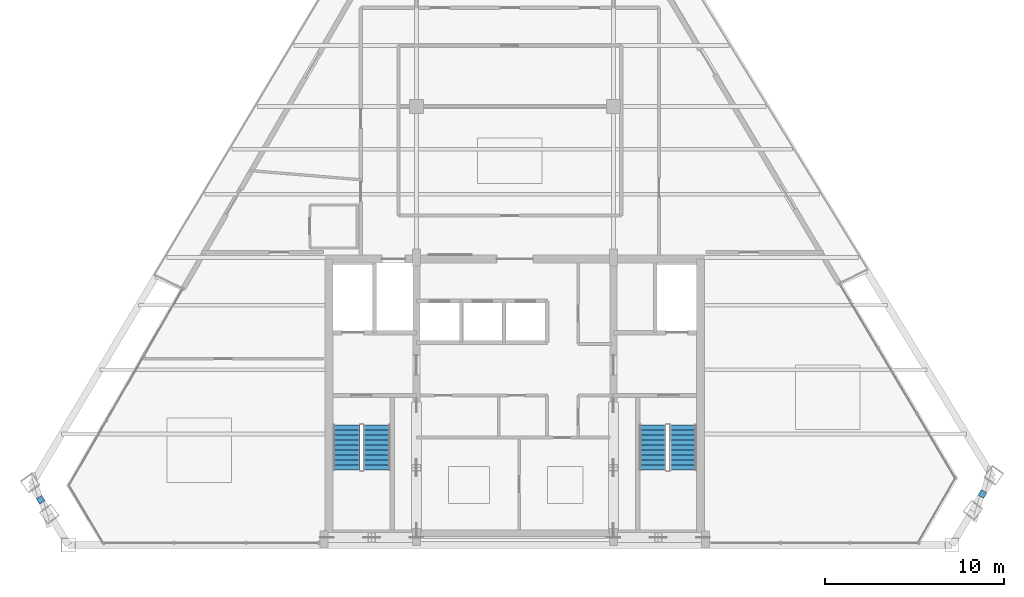
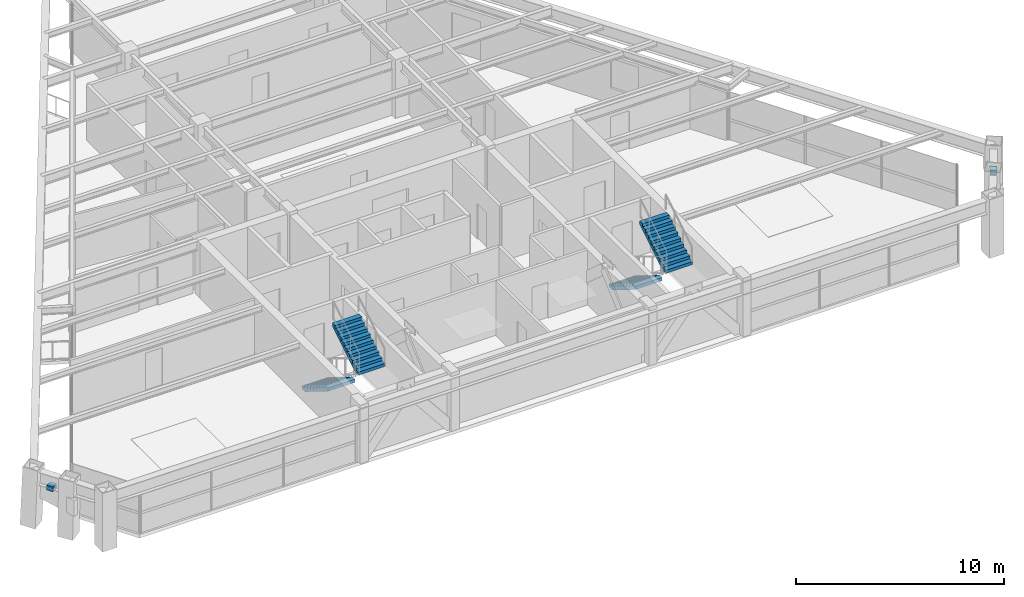
# One storey, part 11 of 13: 4 stair flights, 2 discrete accessories, 2 elements without a shape of their own.
"""IFC4 building model written with IfcOpenShell, lengths in metres."""

from ifc_helpers import new_model, si_unit, direction, frame, origin, origin_2d, place, context, subcontext, project, spatial, polyline, rectangle, outline, extrude, source, transform, mapped, material, type_object, type_shapes, element, aggregate, save


model = new_model("IFC4")

# Units and contexts
model_context = context("Model", 3, precision=1e-05, world=origin(), true_north=direction((0.0, 1.0)))
body_context = subcontext(model_context, "Body", "Model", "MODEL_VIEW")
ifc_project = project(units=[si_unit("LENGTHUNIT", "METRE"), si_unit("AREAUNIT", "SQUARE_METRE"), si_unit("VOLUMEUNIT", "CUBIC_METRE"), si_unit("PLANEANGLEUNIT", "RADIAN"), si_unit("MASSUNIT", "GRAM", prefix="KILO")], contexts=[model_context])

# Site, building, storey
site_placement = place(None, origin())
site = spatial("IfcSite", under=ifc_project, at=site_placement, CompositionType="ELEMENT")
building_placement = place(site_placement, origin())
building = spatial("IfcBuilding", under=site, at=building_placement, Name="Varnakhor Terracotta Tower", CompositionType="ELEMENT")
storey_placement = place(building_placement, frame((0.0, 0.0, 273.0)))
storey = spatial("IfcBuildingStorey", under=building, at=storey_placement, Name="L71", CompositionType="ELEMENT", Elevation=273.0)

# Stair, stair flights
ifc_material_1 = material(Name="Concrete C40/50", Category="concrete")
stair_type = type_object("IfcStairType", Name="STR-CORE-HOTEL-1500", PredefinedType="HALF_TURN_STAIR", material=ifc_material_1)
stair_1_placement = place(storey_placement, origin())
stair_1 = element("IfcStair", 1, at=stair_1_placement, inside=storey, type_object=stair_type, Name="L71 Core Exit Stair ST-1", PredefinedType="HALF_TURN_STAIR")
stair_flight_type = type_object("IfcStairFlightType", Name="FLT-HOTEL-1500", PredefinedType="STRAIGHT", material=ifc_material_1)
stair_flight_1_placement = place(storey_placement, frame((-9.39990234375, 6.7099609375, 0.0), z_axis=(0.0, 0.0, 1.0), x_axis=(0.0, -1.0, 0.0)))
stair_flight_1 = element("IfcStairFlight", 2, at=stair_flight_1_placement, type_object=stair_flight_type, Name="ST-1 flight 1", NumberOfRisers=10, NumberOfTreads=9, PredefinedType="STRAIGHT", RiserHeight=0.1725, TreadLength=0.28, context=body_context, shape_type="SweptSolid", body=[
    extrude(outline(polyline([(0.0, 0.0), (0.0, 0.172607421875), (0.280029296875, 0.172607421875), (0.280029296875, 0.344970703125), (0.56005859375, 0.344970703125), (0.56005859375, 0.517578125), (0.840087890625, 0.517578125), (0.840087890625, 0.68994140625), (1.1201171875, 0.68994140625), (1.1201171875, 0.862548828125), (1.39990234375, 0.862548828125), (1.39990234375, 1.034912109375), (1.679931640625, 1.034912109375), (1.679931640625, 1.20751953125), (1.9599609375, 1.20751953125), (1.9599609375, 1.3798828125), (2.239990234375, 1.3798828125), (2.239990234375, 1.552490234375), (2.52001953125, 1.552490234375), (2.52001953125, 1.72509765625), (2.52001953125, 1.36474609375), (0.304931640625, 0.0), (0.0, 0.0)])), frame((0.0, 0.75, 0.0), z_axis=(0.0, -1.0, 0.0), x_axis=(1.0, 0.0, 0.0)), (0.0, 0.0, 1.0), 1.5),
])
stair_flight_2_placement = place(storey_placement, frame((-7.699951171875, 4.18994140625, 1.72509765625), z_axis=(0.0, 0.0, 1.0), x_axis=(0.0, 1.0, 0.0)))
stair_flight_2 = element("IfcStairFlight", 3, at=stair_flight_2_placement, type_object=stair_flight_type, Name="ST-1 flight 2", NumberOfRisers=10, NumberOfTreads=9, PredefinedType="STRAIGHT", RiserHeight=0.1725, TreadLength=0.28, context=body_context, shape_type="SweptSolid", body=[
    extrude(outline(polyline([(0.0, 0.0), (0.0, 0.172607421875), (0.280029296875, 0.172607421875), (0.280029296875, 0.344970703125), (0.56005859375, 0.344970703125), (0.56005859375, 0.517578125), (0.840087890625, 0.517578125), (0.840087890625, 0.68994140625), (1.1201171875, 0.68994140625), (1.1201171875, 0.862548828125), (1.39990234375, 0.862548828125), (1.39990234375, 1.034912109375), (1.679931640625, 1.034912109375), (1.679931640625, 1.20751953125), (1.9599609375, 1.20751953125), (1.9599609375, 1.3798828125), (2.239990234375, 1.3798828125), (2.239990234375, 1.552490234375), (2.52001953125, 1.552490234375), (2.52001953125, 1.72509765625), (2.52001953125, 1.36474609375), (0.304931640625, 0.0), (0.0, 0.0)])), frame((0.0, 0.75, 0.0), z_axis=(0.0, -1.0, 0.0), x_axis=(1.0, 0.0, 0.0)), (0.0, 0.0, 1.0), 1.5),
])
aggregate(stair_1, [stair_flight_1, stair_flight_2])

stair_2_placement = place(storey_placement, origin())
stair_2 = element("IfcStair", 4, at=stair_2_placement, inside=storey, type_object=stair_type, Name="L71 Core Exit Stair ST-2", PredefinedType="HALF_TURN_STAIR")
stair_flight_3_placement = place(storey_placement, frame((7.699951171875, 6.7099609375, 0.0), z_axis=(0.0, 0.0, 1.0), x_axis=(0.0, -1.0, 0.0)))
stair_flight_3 = element("IfcStairFlight", 5, at=stair_flight_3_placement, type_object=stair_flight_type, Name="ST-2 flight 1", NumberOfRisers=10, NumberOfTreads=9, PredefinedType="STRAIGHT", RiserHeight=0.1725, TreadLength=0.28, context=body_context, shape_type="SweptSolid", body=[
    extrude(outline(polyline([(0.0, 0.0), (0.0, 0.172607421875), (0.280029296875, 0.172607421875), (0.280029296875, 0.344970703125), (0.56005859375, 0.344970703125), (0.56005859375, 0.517578125), (0.840087890625, 0.517578125), (0.840087890625, 0.68994140625), (1.1201171875, 0.68994140625), (1.1201171875, 0.862548828125), (1.39990234375, 0.862548828125), (1.39990234375, 1.034912109375), (1.679931640625, 1.034912109375), (1.679931640625, 1.20751953125), (1.9599609375, 1.20751953125), (1.9599609375, 1.3798828125), (2.239990234375, 1.3798828125), (2.239990234375, 1.552490234375), (2.52001953125, 1.552490234375), (2.52001953125, 1.72509765625), (2.52001953125, 1.36474609375), (0.304931640625, 0.0), (0.0, 0.0)])), frame((0.0, 0.75, 0.0), z_axis=(0.0, -1.0, 0.0), x_axis=(1.0, 0.0, 0.0)), (0.0, 0.0, 1.0), 1.5),
])
stair_flight_4_placement = place(storey_placement, frame((9.39990234375, 4.18994140625, 1.72509765625), z_axis=(0.0, 0.0, 1.0), x_axis=(0.0, 1.0, 0.0)))
stair_flight_4 = element("IfcStairFlight", 6, at=stair_flight_4_placement, type_object=stair_flight_type, Name="ST-2 flight 2", NumberOfRisers=10, NumberOfTreads=9, PredefinedType="STRAIGHT", RiserHeight=0.1725, TreadLength=0.28, context=body_context, shape_type="SweptSolid", body=[
    extrude(outline(polyline([(0.0, 0.0), (0.0, 0.172607421875), (0.280029296875, 0.172607421875), (0.280029296875, 0.344970703125), (0.56005859375, 0.344970703125), (0.56005859375, 0.517578125), (0.840087890625, 0.517578125), (0.840087890625, 0.68994140625), (1.1201171875, 0.68994140625), (1.1201171875, 0.862548828125), (1.39990234375, 0.862548828125), (1.39990234375, 1.034912109375), (1.679931640625, 1.034912109375), (1.679931640625, 1.20751953125), (1.9599609375, 1.20751953125), (1.9599609375, 1.3798828125), (2.239990234375, 1.3798828125), (2.239990234375, 1.552490234375), (2.52001953125, 1.552490234375), (2.52001953125, 1.72509765625), (2.52001953125, 1.36474609375), (0.304931640625, 0.0), (0.0, 0.0)])), frame((0.0, 0.75, 0.0), z_axis=(0.0, -1.0, 0.0), x_axis=(1.0, 0.0, 0.0)), (0.0, 0.0, 1.0), 1.5),
])
aggregate(stair_2, [stair_flight_3, stair_flight_4])

# Discrete accessories
ifc_material_2 = material(Name="Stainless Steel Fixing Bracket", Category="steel")
discrete_accessory_type = type_object("IfcDiscreteAccessoryType", Name="BRACKET-TERRACOTTA-SCREEN", PredefinedType="BRACKET", material=ifc_material_2)
shared_shape = source(origin(), body_context, "Body", "SweptSolid", [
    extrude(rectangle(XDim=0.35009765625, YDim=0.35009765625, at=origin_2d()), origin(), (0.0, 0.0, 1.0), 0.280029296875),
])
type_shapes(discrete_accessory_type, [shared_shape])
for number, where, z_axis, x_axis, name in (
    (7, (26.114990234375, 2.85546875, 2.3369140625), (0.0, 0.0, 1.0), (0.512867171137, 0.85846797539, 0.0), "L71 E Screen Fixing Bracket"),
    (8, (-26.48046875, 2.531005859375, 2.3369140625), (0.0, 0.0, 1.0), (0.521813852999, -0.853059378249, 0.0), "L71 W Screen Fixing Bracket"),
):
    element("IfcDiscreteAccessory", number, at=place(storey_placement, frame(where, z_axis=z_axis, x_axis=x_axis)), inside=storey, type_object=discrete_accessory_type, Name=name, PredefinedType="BRACKET", context=body_context, shape_type="MappedRepresentation", body=[
        mapped(shared_shape, transform((0.0, 0.0, 0.0), scale=1.0)),
    ])

save(model, "model.ifc")
